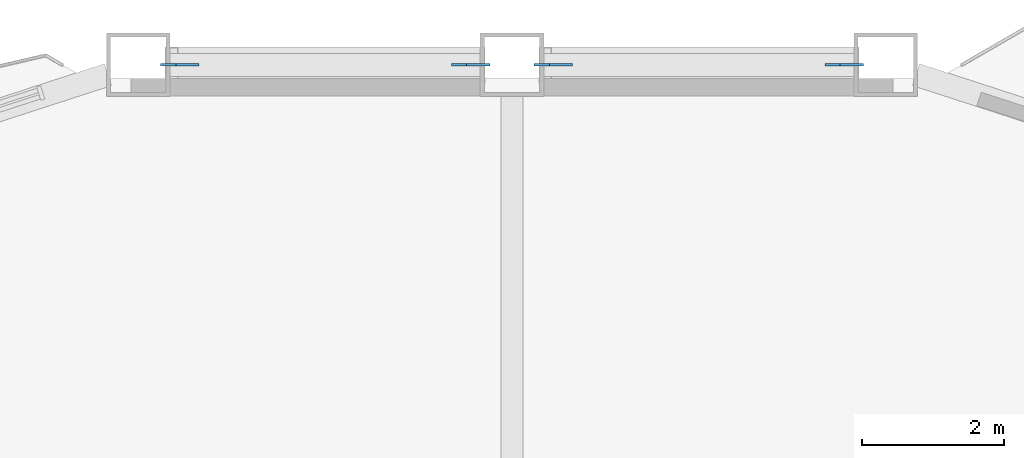
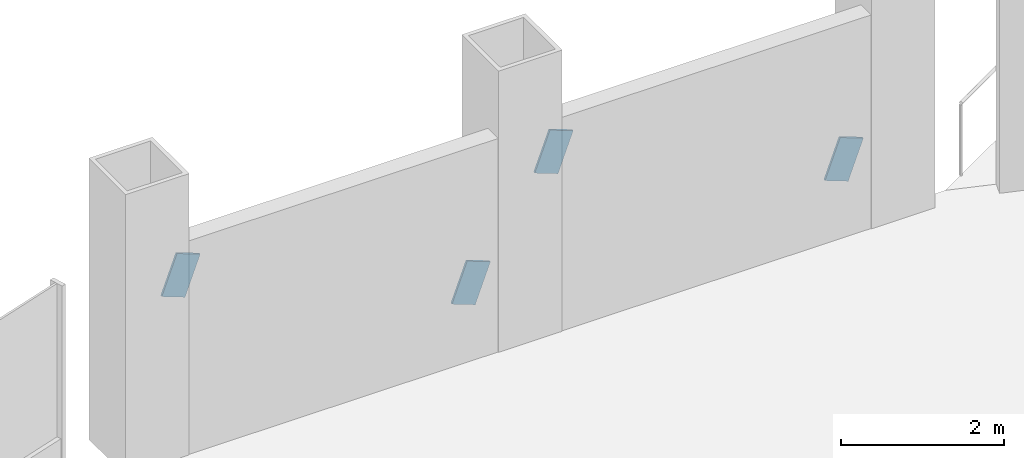
# One storey, part 16 of 21: 4 discrete accessories.
"""IFC4 building model written with IfcOpenShell, lengths in metres."""

from ifc_helpers import new_model, si_unit, direction, frame, origin, origin_2d, place, context, subcontext, project, spatial, rectangle, extrude, material, material_profile, profile_set, type_object, element, save


model = new_model("IFC4")

# Units and contexts
model_context = context("Model", 3, precision=1e-05, world=origin(), true_north=direction((0.0, 1.0)))
body_context = subcontext(model_context, "Body", "Model", "MODEL_VIEW")
ifc_project = project(units=[si_unit("LENGTHUNIT", "METRE"), si_unit("AREAUNIT", "SQUARE_METRE"), si_unit("VOLUMEUNIT", "CUBIC_METRE"), si_unit("PLANEANGLEUNIT", "RADIAN"), si_unit("MASSUNIT", "GRAM", prefix="KILO")], contexts=[model_context])

# Site, building, storey
site_placement = place(None, origin())
site = spatial("IfcSite", under=ifc_project, at=site_placement, CompositionType="ELEMENT")
building_placement = place(site_placement, origin())
building = spatial("IfcBuilding", under=site, at=building_placement, Name="Cormorant Prow Tower", CompositionType="ELEMENT")
storey_placement = place(building_placement, frame((0.0, 0.0, 103.800048828125)))
storey = spatial("IfcBuildingStorey", under=building, at=storey_placement, Name="L21", CompositionType="ELEMENT", Elevation=103.800048828125)

# Discrete accessories
ifc_material = material(Name="Structural steel ASTM A500 Gr C", Category="steel")
ifc_material_profile = material_profile(ifc_material, rectangle(XDim=0.031982421875, YDim=0.60791015625, at=origin_2d()), Name="Gusset plate 32x608")
ifc_profile_set = profile_set([ifc_material_profile], Name="Structural steel ASTM A500 Gr C")
discrete_accessory_type = type_object("IfcDiscreteAccessoryType", Name="Gusset plate 32x608", PredefinedType="BRACKET", material=ifc_profile_set)
discrete_accessory_1_placement = place(storey_placement, frame((4.521240234375, 32.487060546875, 0.88232421875), z_axis=(0.935610415408, 0.0, -0.353034205963), x_axis=(0.0, 1.0, 0.0)))
element("IfcDiscreteAccessory", 1, at=discrete_accessory_1_placement, inside=storey, type_object=discrete_accessory_type, Name="Gusset plate GP1 L21.N00.g0", PredefinedType="BRACKET", context=body_context, shape_type="SweptSolid", body=[
    extrude(rectangle(XDim=0.031982421875, YDim=0.60791015625, at=origin_2d()), origin(), (0.0, 0.0, 1.0), 0.349853515625),
])
for number, where, z_axis, x_axis, name in (
    (2, (0.74853515625, 32.487060546875, 2.306396484375), (-0.935697286394, 0.0, 0.35280389487), (0.0, -1.0, 0.0), "Gusset plate GP1 L21.N00.g1"),
    (3, (-0.74853515625, 32.487060546875, 0.88232421875), (0.935697286394, 0.0, -0.35280389487), (0.0, 1.0, 0.0), "Gusset plate GP1 L21.N01.g0"),
):
    element("IfcDiscreteAccessory", number, at=place(storey_placement, frame(where, z_axis=z_axis, x_axis=x_axis)), inside=storey, type_object=discrete_accessory_type, Name=name, PredefinedType="BRACKET", context=body_context, shape_type="SweptSolid", body=[
        extrude(rectangle(XDim=0.031982421875, YDim=0.60791015625, at=origin_2d()), origin(), (0.0, 0.0, 1.0), 0.35009765625),
    ])
discrete_accessory_2_placement = place(storey_placement, frame((-4.521240234375, 32.487060546875, 2.306396484375), z_axis=(-0.935610415408, 0.0, 0.353034205963), x_axis=(0.0, -1.0, 0.0)))
element("IfcDiscreteAccessory", 4, at=discrete_accessory_2_placement, inside=storey, type_object=discrete_accessory_type, Name="Gusset plate GP1 L21.N01.g1", PredefinedType="BRACKET", context=body_context, shape_type="SweptSolid", body=[
    extrude(rectangle(XDim=0.031982421875, YDim=0.60791015625, at=origin_2d()), origin(), (0.0, 0.0, 1.0), 0.349853515625),
])

save(model, "model.ifc")
